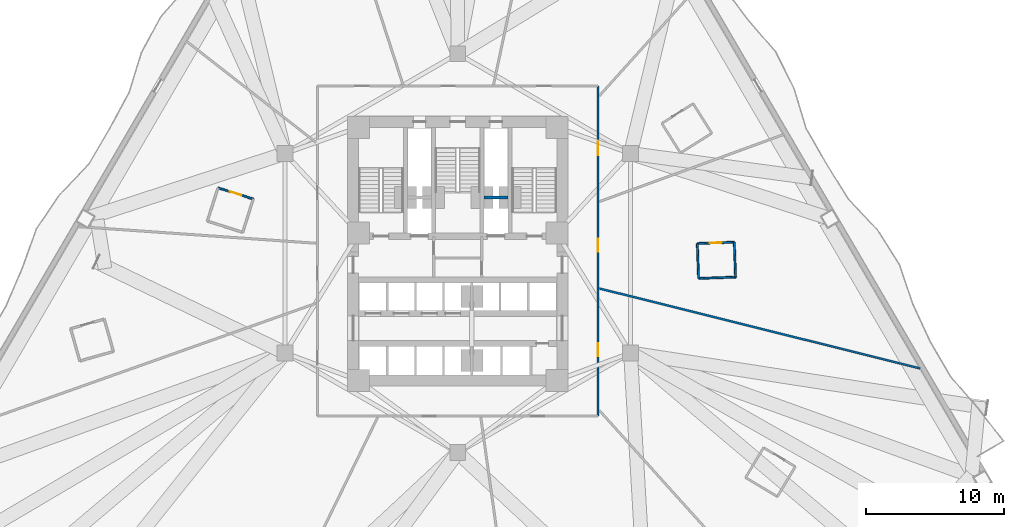
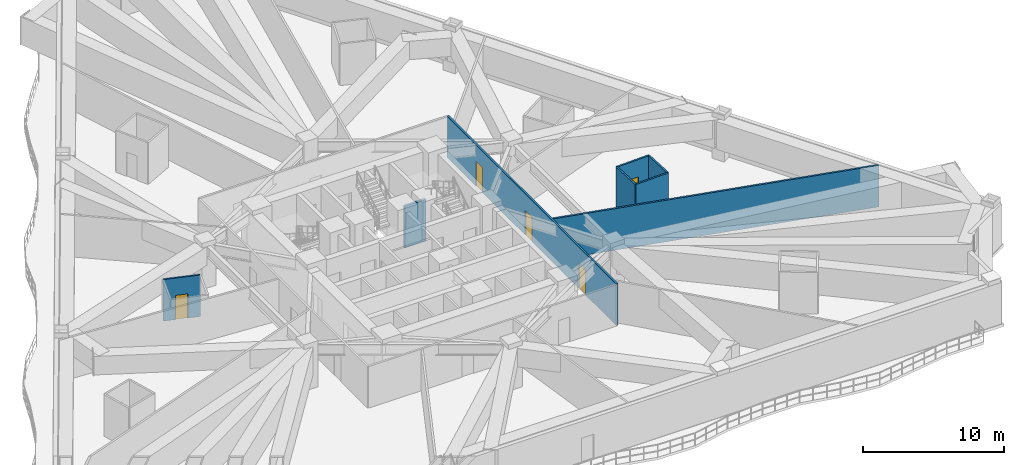
# One storey, part 9 of 16: 8 walls, 5 doors, 5 openings.
"""IFC4 building model written with IfcOpenShell, lengths in metres."""

from ifc_helpers import new_model, si_unit, direction, frame, frame_2d, origin, place, context, subcontext, project, spatial, rectangle, extrude, material, layer, layer_set, type_object, element, fill, save


model = new_model("IFC4")

# Units and contexts
model_context = context("Model", 3, precision=1e-05, world=origin(), true_north=direction((0.0, 1.0)))
body_context = subcontext(model_context, "Body", "Model", "MODEL_VIEW")
ifc_project = project(units=[si_unit("LENGTHUNIT", "METRE"), si_unit("AREAUNIT", "SQUARE_METRE"), si_unit("VOLUMEUNIT", "CUBIC_METRE"), si_unit("PLANEANGLEUNIT", "RADIAN"), si_unit("MASSUNIT", "GRAM", prefix="KILO")], contexts=[model_context])

# Site, building, storey
site_placement = place(None, origin())
site = spatial("IfcSite", under=ifc_project, at=site_placement, CompositionType="ELEMENT")
building_placement = place(site_placement, origin())
building = spatial("IfcBuilding", under=site, at=building_placement, Name="Apsidion Concourse Tower", CompositionType="ELEMENT")
storey_placement = place(building_placement, frame((0.0, 0.0, 58.39990234375)))
storey = spatial("IfcBuildingStorey", under=building, at=storey_placement, Name="L12", CompositionType="ELEMENT", Elevation=58.39990234375)

# Walls
ifc_material_1 = material(Name="Gypsum plasterboard partition")
ifc_layer_1 = layer(ifc_material_1, 0.139892578125)
ifc_layer_set_1 = layer_set([ifc_layer_1], Name="Gypsum plasterboard partition")
wall_type_1 = type_object("IfcWallType", Name="WL-INT-PAR-140", PredefinedType="PARTITIONING", material=ifc_layer_set_1)
wall_1_placement = place(storey_placement, frame((17.50830078125, -1.837646484375, 0.0), z_axis=(0.0, 0.0, 1.0), x_axis=(0.999327457394, 0.036669236402, 0.0)))
element("IfcWall", 1, at=wall_1_placement, inside=storey, type_object=wall_type_1, Name="L12 Interior Partition WL-L12-POD-ENS05-S1", PredefinedType="PARTITIONING", context=body_context, shape_type="SweptSolid", body=[
    extrude(rectangle(XDim=2.689697265625, YDim=0.139892578125, at=frame_2d((1.3447265625, 0.0))), origin(), (0.0, 0.0, 1.0), 3.60009765625),
])
wall_2_placement = place(storey_placement, frame((20.1962890625, -1.739013671875, 0.0), z_axis=(0.0, 0.0, 1.0), x_axis=(-0.03662060601, 0.999329240649, 0.0)))
element("IfcWall", 2, at=wall_2_placement, inside=storey, type_object=wall_type_1, Name="L12 Interior Partition WL-L12-POD-ENS05-S2", PredefinedType="PARTITIONING", context=body_context, shape_type="SweptSolid", body=[
    extrude(rectangle(XDim=2.5400390625, YDim=0.139892578125, at=frame_2d((1.27001953125, 0.0))), origin(), (0.0, 0.0, 1.0), 3.60009765625),
])

# Wall, opening, door
wall_3_placement = place(storey_placement, frame((20.103271484375, 0.79931640625, 0.0), z_axis=(0.0, 0.0, 1.0), x_axis=(-0.999327579424, -0.036665910643, 0.0)))
wall_3 = element("IfcWall", 3, at=wall_3_placement, inside=storey, type_object=wall_type_1, Name="L12 Interior Partition WL-L12-POD-ENS05-S3", PredefinedType="PARTITIONING", context=body_context, shape_type="SweptSolid", body=[
    extrude(rectangle(XDim=2.68994140625, YDim=0.139892578125, at=frame_2d((1.344970703125, 0.0))), origin(), (0.0, 0.0, 1.0), 3.60009765625),
])
opening_1_placement = place(wall_3_placement, frame((0.905029296875, 0.0, 0.0)))
opening_1 = element("IfcOpeningElement", 4, at=opening_1_placement, cuts=wall_3, Name="Opening D-03R", PredefinedType="OPENING", context=body_context, shape_type="SweptSolid", body=[
    extrude(rectangle(XDim=0.8798828125, YDim=2.10009765625, at=frame_2d((0.43994140625, 1.050048828125))), frame((0.0, 0.080078125, 0.0), z_axis=(0.0, -1.0, 0.0), x_axis=(1.0, 0.0, 0.0)), (0.0, 0.0, 1.0), 0.159912109375),
])
ifc_material_2 = material(Name="Anodised aluminium EN AW-6063 T6", Category="aluminium")
door_type_1 = type_object("IfcDoorType", Name="DR-INT-D03R", OperationType="SINGLE_SWING_RIGHT", PredefinedType="DOOR", material=ifc_material_2)
door_1_placement = place(opening_1_placement, origin())
door_1 = element("IfcDoor", 5, at=door_1_placement, inside=storey, type_object=door_type_1, Name="L12 Guest En-Suite Bathroom Door ENS05", OperationType="SINGLE_SWING_RIGHT", OverallHeight=2.10009765625, OverallWidth=0.8798828125, PredefinedType="DOOR", context=body_context, shape_type="SweptSolid", body=[
    extrude(rectangle(XDim=0.8798828125, YDim=2.10009765625, at=frame_2d((0.43994140625, 1.050048828125))), frame((0.0, 0.02490234375, 0.0), z_axis=(0.0, -1.0, 0.0), x_axis=(1.0, 0.0, 0.0)), (0.0, 0.0, 1.0), 0.050048828125),
])
fill(opening_1, door_1)

# Wall
wall_4_placement = place(storey_placement, frame((17.4150390625, 0.70068359375, 0.0), z_axis=(0.0, 0.0, 1.0), x_axis=(0.036716593679, -0.999325718547, 0.0)))
element("IfcWall", 6, at=wall_4_placement, inside=storey, type_object=wall_type_1, Name="L12 Interior Partition WL-L12-POD-ENS05-S4", PredefinedType="PARTITIONING", context=body_context, shape_type="SweptSolid", body=[
    extrude(rectangle(XDim=2.5400390625, YDim=0.139892578125, at=frame_2d((1.27001953125, 0.0))), origin(), (0.0, 0.0, 1.0), 3.60009765625),
])

# Wall, opening, door
wall_5_placement = place(storey_placement, frame((-14.865966796875, 3.935791015625, 0.0), z_axis=(0.0, 0.0, 1.0), x_axis=(-0.953175772707, 0.302416841998, 0.0)))
wall_5 = element("IfcWall", 7, at=wall_5_placement, inside=storey, type_object=wall_type_1, Name="L12 Interior Partition WL-L12-POD-ENS10-S1", PredefinedType="PARTITIONING", context=body_context, shape_type="SweptSolid", body=[
    extrude(rectangle(XDim=2.68994140625, YDim=0.139892578125, at=frame_2d((1.344970703125, 0.0))), origin(), (0.0, 0.0, 1.0), 3.60009765625),
])
opening_2_placement = place(wall_5_placement, frame((0.905029296875, 0.0, 0.0)))
opening_2 = element("IfcOpeningElement", 8, at=opening_2_placement, cuts=wall_5, Name="Opening D-03L", PredefinedType="OPENING", context=body_context, shape_type="SweptSolid", body=[
    extrude(rectangle(XDim=0.8798828125, YDim=2.10009765625, at=frame_2d((0.43994140625, 1.050048828125))), frame((0.0, 0.080078125, 0.0), z_axis=(0.0, -1.0, 0.0), x_axis=(1.0, 0.0, 0.0)), (0.0, 0.0, 1.0), 0.159912109375),
])
door_type_2 = type_object("IfcDoorType", Name="DR-INT-D03L", OperationType="SINGLE_SWING_LEFT", PredefinedType="DOOR", material=ifc_material_2)
door_2_placement = place(opening_2_placement, origin())
door_2 = element("IfcDoor", 9, at=door_2_placement, inside=storey, type_object=door_type_2, Name="L12 Guest En-Suite Bathroom Door ENS10", OperationType="SINGLE_SWING_LEFT", OverallHeight=2.10009765625, OverallWidth=0.8798828125, PredefinedType="DOOR", context=body_context, shape_type="SweptSolid", body=[
    extrude(rectangle(XDim=0.8798828125, YDim=2.10009765625, at=frame_2d((0.43994140625, 1.050048828125))), frame((0.0, 0.02490234375, 0.0), z_axis=(0.0, -1.0, 0.0), x_axis=(1.0, 0.0, 0.0)), (0.0, 0.0, 1.0), 0.050048828125),
])
fill(opening_2, door_2)

# Wall, openings, doors
ifc_layer_2 = layer(ifc_material_1, 0.14990234375)
ifc_layer_set_2 = layer_set([ifc_layer_2], Name="Gypsum plasterboard partition")
wall_type_2 = type_object("IfcWallType", Name="WL-INT-PAR-150", PredefinedType="PARTITIONING", material=ifc_layer_set_2)
wall_6_placement = place(storey_placement, frame((10.199951171875, 12.14990234375, 0.0), z_axis=(0.0, 0.0, 1.0), x_axis=(0.0, -1.0, 0.0)))
wall_6 = element("IfcWall", 10, at=wall_6_placement, inside=storey, type_object=wall_type_2, Name="L12 Interior Partition WL-L12-CORR-02", PredefinedType="PARTITIONING", context=body_context, shape_type="SweptSolid", body=[
    extrude(rectangle(XDim=24.0, YDim=0.14990234375, at=frame_2d((12.0, 0.0))), origin(), (0.0, 0.0, 1.0), 3.60009765625),
])
opening_3_placement = place(wall_6_placement, frame((18.69140625, 0.0, 0.0)))
opening_3 = element("IfcOpeningElement", 11, at=opening_3_placement, cuts=wall_6, Name="Opening D-01L", PredefinedType="OPENING", context=body_context, shape_type="SweptSolid", body=[
    extrude(rectangle(XDim=0.949951171875, YDim=2.14990234375, at=frame_2d((0.47509765625, 1.074951171875))), frame((0.0, 0.0849609375, 0.0), z_axis=(0.0, -1.0, 0.0), x_axis=(1.0, 0.0, 0.0)), (0.0, 0.0, 1.0), 0.169921875),
])
opening_4_placement = place(wall_6_placement, frame((11.085693359375, 0.0, 0.0)))
opening_4 = element("IfcOpeningElement", 12, at=opening_4_placement, cuts=wall_6, Name="Opening D-01R", PredefinedType="OPENING", context=body_context, shape_type="SweptSolid", body=[
    extrude(rectangle(XDim=0.949951171875, YDim=2.14990234375, at=frame_2d((0.47509765625, 1.074951171875))), frame((0.0, 0.0849609375, 0.0), z_axis=(0.0, -1.0, 0.0), x_axis=(1.0, 0.0, 0.0)), (0.0, 0.0, 1.0), 0.169921875),
])
opening_5_placement = place(wall_6_placement, frame((4.068115234375, 0.0, 0.0)))
opening_5 = element("IfcOpeningElement", 13, at=opening_5_placement, cuts=wall_6, Name="Opening D-01L", PredefinedType="OPENING", context=body_context, shape_type="SweptSolid", body=[
    extrude(rectangle(XDim=0.949951171875, YDim=2.14990234375, at=frame_2d((0.47509765625, 1.074951171875))), frame((0.0, 0.0849609375, 0.0), z_axis=(0.0, -1.0, 0.0), x_axis=(1.0, 0.0, 0.0)), (0.0, 0.0, 1.0), 0.169921875),
])
ifc_material_3 = material(Name="Brushed stainless steel 316", Category="steel")
door_type_3 = type_object("IfcDoorType", Name="DR-INT-D01L", OperationType="SINGLE_SWING_LEFT", PredefinedType="DOOR", material=ifc_material_3)
door_3_placement = place(opening_3_placement, origin())
door_3 = element("IfcDoor", 14, at=door_3_placement, inside=storey, type_object=door_type_3, Name="L12 Corridor Entry Door 05", OperationType="SINGLE_SWING_LEFT", OverallHeight=2.14990234375, OverallWidth=0.949951171875, PredefinedType="DOOR", context=body_context, shape_type="SweptSolid", body=[
    extrude(rectangle(XDim=0.949951171875, YDim=2.14990234375, at=frame_2d((0.47509765625, 1.074951171875))), frame((0.0, 0.02490234375, 0.0), z_axis=(0.0, -1.0, 0.0), x_axis=(1.0, 0.0, 0.0)), (0.0, 0.0, 1.0), 0.050048828125),
])
fill(opening_3, door_3)
door_4_placement = place(opening_5_placement, origin())
door_4 = element("IfcDoor", 15, at=door_4_placement, inside=storey, type_object=door_type_3, Name="L12 Corridor Entry Door 07", OperationType="SINGLE_SWING_LEFT", OverallHeight=2.14990234375, OverallWidth=0.949951171875, PredefinedType="DOOR", context=body_context, shape_type="SweptSolid", body=[
    extrude(rectangle(XDim=0.949951171875, YDim=2.14990234375, at=frame_2d((0.47509765625, 1.074951171875))), frame((0.0, 0.02490234375, 0.0), z_axis=(0.0, -1.0, 0.0), x_axis=(1.0, 0.0, 0.0)), (0.0, 0.0, 1.0), 0.050048828125),
])
fill(opening_5, door_4)
door_type_4 = type_object("IfcDoorType", Name="DR-INT-D01R", OperationType="SINGLE_SWING_RIGHT", PredefinedType="DOOR", material=ifc_material_3)
door_5_placement = place(opening_4_placement, origin())
door_5 = element("IfcDoor", 16, at=door_5_placement, inside=storey, type_object=door_type_4, Name="L12 Corridor Entry Door 06", OperationType="SINGLE_SWING_RIGHT", OverallHeight=2.14990234375, OverallWidth=0.949951171875, PredefinedType="DOOR", context=body_context, shape_type="SweptSolid", body=[
    extrude(rectangle(XDim=0.949951171875, YDim=2.14990234375, at=frame_2d((0.47509765625, 1.074951171875))), frame((0.0, 0.02490234375, 0.0), z_axis=(0.0, -1.0, 0.0), x_axis=(1.0, 0.0, 0.0)), (0.0, 0.0, 1.0), 0.050048828125),
])
fill(opening_4, door_5)

# Walls
wall_7_placement = place(storey_placement, frame((10.304931640625, -2.5693359375, 0.0), z_axis=(0.0, 0.0, 1.0), x_axis=(0.970295876138, -0.241921294536, 0.0)))
element("IfcWall", 17, at=wall_7_placement, inside=storey, type_object=wall_type_2, Name="L12 Interior Partition WL-L12-RAD-11-1", PredefinedType="PARTITIONING", context=body_context, shape_type="SweptSolid", body=[
    extrude(rectangle(XDim=24.033447265625, YDim=0.14990234375, at=frame_2d((12.0166015625, 0.0))), origin(), (0.0, 0.0, 1.0), 3.60009765625),
])
ifc_layer_3 = layer(ifc_material_1, 0.199951171875)
ifc_layer_set_3 = layer_set([ifc_layer_3], Name="Gypsum plasterboard partition")
wall_type_3 = type_object("IfcWallType", Name="WL-INT-PAR-200", PredefinedType="PARTITIONING", material=ifc_layer_set_3)
wall_8_placement = place(storey_placement, frame((1.919921875, 4.050048828125, 0.0), z_axis=(0.0, 0.0, 1.0), x_axis=(1.0, 0.0, 0.0)))
element("IfcWall", 18, at=wall_8_placement, inside=storey, type_object=wall_type_3, Name="L12 Interior Partition WL-L12-FF2-N", PredefinedType="PARTITIONING", context=body_context, shape_type="SweptSolid", body=[
    extrude(rectangle(XDim=1.72998046875, YDim=0.199951171875, at=frame_2d((0.864990234375, 0.0))), origin(), (0.0, 0.0, 1.0), 3.60009765625),
])

save(model, "model.ifc")
